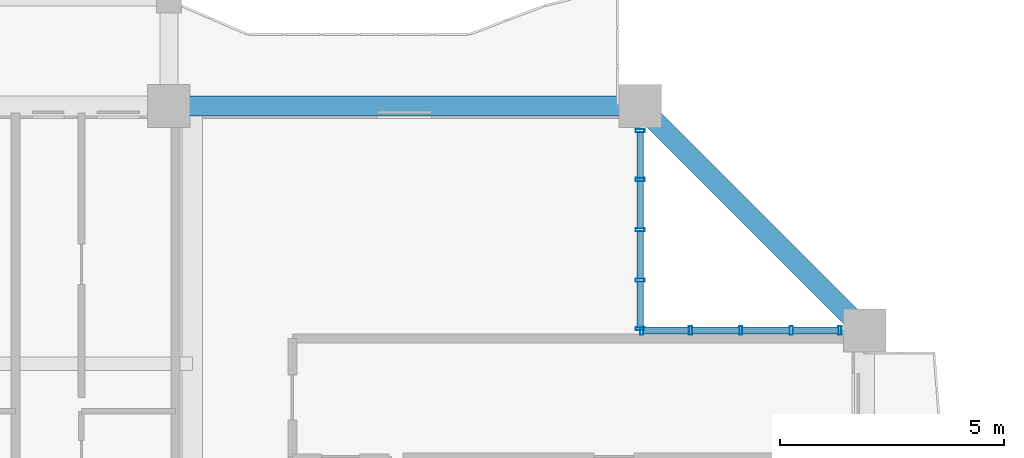
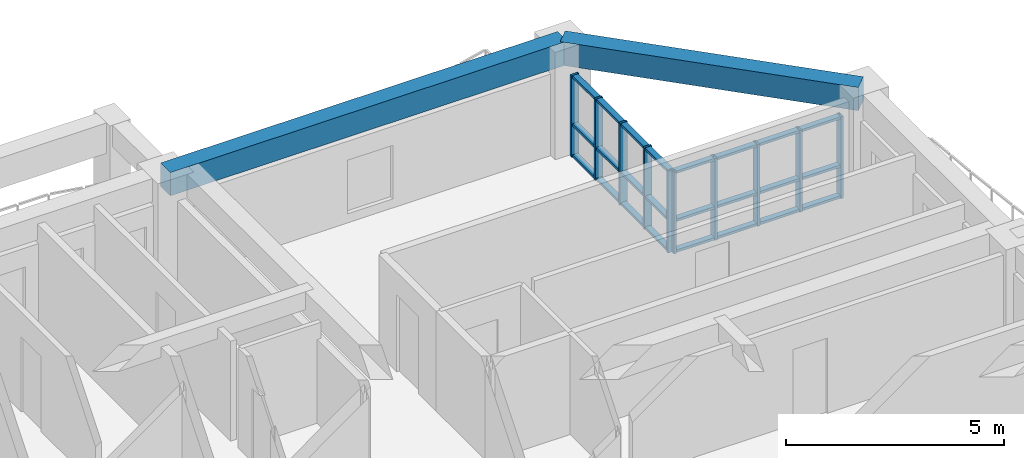
# One storey, part 9 of 24: 34 members, 2 beams, 2 elements without a shape of their own.
"""IFC4 building model written with IfcOpenShell, lengths in metres."""

from ifc_helpers import new_model, si_unit, direction, frame, origin, origin_2d, place, context, subcontext, project, spatial, rectangle, hollow_rectangle, extrude, source, transform, mapped, material, layer, layer_set, material_profile, profile_set, type_object, element, aggregate, save


model = new_model("IFC4")

# Units and contexts
model_context = context("Model", 3, precision=1e-05, world=origin(), true_north=direction((0.0, 1.0)))
body_context = subcontext(model_context, "Body", "Model", "MODEL_VIEW")
ifc_project = project(units=[si_unit("LENGTHUNIT", "METRE"), si_unit("AREAUNIT", "SQUARE_METRE"), si_unit("VOLUMEUNIT", "CUBIC_METRE"), si_unit("PLANEANGLEUNIT", "RADIAN"), si_unit("MASSUNIT", "GRAM", prefix="KILO")], contexts=[model_context])

# Site, building, storey
site_placement = place(None, origin())
site = spatial("IfcSite", under=ifc_project, at=site_placement, CompositionType="ELEMENT")
building_placement = place(site_placement, origin())
building = spatial("IfcBuilding", under=site, at=building_placement, Name="Saelheon Loggia Tower", CompositionType="ELEMENT")
storey_placement = place(building_placement, frame((0.0, 0.0, 166.0)))
storey = spatial("IfcBuildingStorey", under=building, at=storey_placement, Name="L52", CompositionType="ELEMENT", Elevation=166.0)

# Beams
ifc_material_1 = material(Name="Concrete C40/50", Category="concrete")
ifc_material_profile_1 = material_profile(ifc_material_1, rectangle(XDim=0.449951171875, YDim=0.64990234375, at=origin_2d()), Name="RC-450x650")
ifc_profile_set_1 = profile_set([ifc_material_profile_1], Name="Concrete C40/50")
beam_type = type_object("IfcBeamType", Name="Beam_PerimTower_RC450x650", PredefinedType="BEAM", material=ifc_profile_set_1)
shared_shape_1 = source(origin(), body_context, "Body", "SweptSolid", [
    extrude(rectangle(XDim=0.449951171875, YDim=0.64990234375, at=origin_2d()), origin(), (0.0, 0.0, 1.0), 10.5),
])
beam_1_placement = place(storey_placement, frame((55.0, 48.0, 2.675048828125), z_axis=(-1.0, 0.0, 0.0), x_axis=(0.0, -1.0, 0.0)))
element("IfcBeam", 1, at=beam_1_placement, inside=storey, type_object=beam_type, Name="L52 Perimeter Frame Girder 09", PredefinedType="BEAM", context=body_context, shape_type="MappedRepresentation", body=[
    mapped(shared_shape_1, transform((0.0, 0.0, 0.0), scale=1.0)),
])
shared_shape_2 = source(origin(), body_context, "Body", "SweptSolid", [
    extrude(rectangle(XDim=0.449951171875, YDim=0.64990234375, at=origin_2d()), origin(), (0.0, 0.0, 1.0), 7.071044921875),
])
beam_2_placement = place(storey_placement, frame((60.0, 43.0, 2.675048828125), z_axis=(-0.707106781187, 0.707106781187, 0.0), x_axis=(-0.707106781187, -0.707106781187, 0.0)))
element("IfcBeam", 2, at=beam_2_placement, inside=storey, type_object=beam_type, Name="L52 Perimeter Frame Girder 08", PredefinedType="BEAM", context=body_context, shape_type="MappedRepresentation", body=[
    mapped(shared_shape_2, transform((0.0, 0.0, 0.0), scale=1.0)),
])

# Curtain wall, members
ifc_material_2 = material(Name="High-Wind Aluminium and Triple Laminated Glass", Category="aluminium")
ifc_layer = layer(ifc_material_2, 0.179931640625)
ifc_layer_set = layer_set([ifc_layer], Name="High-Wind Aluminium and Triple Laminated Glass")
curtain_wall_type = type_object("IfcCurtainWallType", Name="CW_TowerLoggiaHigh", PredefinedType="NOTDEFINED", material=ifc_layer_set)
curtain_wall_1_placement = place(storey_placement, origin())
curtain_wall_1 = element("IfcCurtainWall", 3, at=curtain_wall_1_placement, inside=storey, type_object=curtain_wall_type, Name="L52 Corner Notch Glazing NE1", PredefinedType="NOTDEFINED")
ifc_material_3 = material(Name="Anodised Aluminium 6063-T6", Category="aluminium")
ifc_material_profile_2 = material_profile(ifc_material_3, hollow_rectangle(XDim=0.070068359375, YDim=0.199951171875, WallThickness=0.0048828125, at=origin_2d()), Name="RHS-200x70x5")
ifc_profile_set_2 = profile_set([ifc_material_profile_2], Name="Anodised Aluminium 6063-T6")
member_type_1 = type_object("IfcMemberType", Name="CW_TowerLoggiaHigh_Mullion", PredefinedType="MULLION", material=ifc_profile_set_2)
shared_shape_3 = source(origin(), body_context, "Body", "SweptSolid", [
    extrude(hollow_rectangle(XDim=0.070068359375, YDim=0.199951171875, WallThickness=0.0048828125, at=origin_2d()), origin(), (0.0, 0.0, 1.0), 2.280029296875),
])
member_1_placement = place(storey_placement, frame((55.0, 43.034912109375, 0.0), z_axis=(0.0, 0.0, 1.0), x_axis=(0.0, 1.0, 0.0)))
member_1 = element("IfcMember", 4, at=member_1_placement, type_object=member_type_1, Name="CW4 mullion 1", PredefinedType="MULLION", context=body_context, shape_type="MappedRepresentation", body=[
    mapped(shared_shape_3, transform((0.0, 0.0, 0.0), scale=1.0)),
])
member_2_placement = place(storey_placement, frame((55.0, 44.121337890625, 0.0), z_axis=(0.0, 0.0, 1.0), x_axis=(0.0, 1.0, 0.0)))
member_2 = element("IfcMember", 5, at=member_2_placement, type_object=member_type_1, Name="CW4 mullion 2", PredefinedType="MULLION", context=body_context, shape_type="MappedRepresentation", body=[
    mapped(shared_shape_3, transform((0.0, 0.0, 0.0), scale=1.0)),
])
member_3_placement = place(storey_placement, frame((55.0, 45.242431640625, 0.0), z_axis=(0.0, 0.0, 1.0), x_axis=(0.0, 1.0, 0.0)))
member_3 = element("IfcMember", 6, at=member_3_placement, type_object=member_type_1, Name="CW4 mullion 3", PredefinedType="MULLION", context=body_context, shape_type="MappedRepresentation", body=[
    mapped(shared_shape_3, transform((0.0, 0.0, 0.0), scale=1.0)),
])
member_4_placement = place(storey_placement, frame((55.0, 46.36376953125, 0.0), z_axis=(0.0, 0.0, 1.0), x_axis=(0.0, 1.0, 0.0)))
member_4 = element("IfcMember", 7, at=member_4_placement, type_object=member_type_1, Name="CW4 mullion 4", PredefinedType="MULLION", context=body_context, shape_type="MappedRepresentation", body=[
    mapped(shared_shape_3, transform((0.0, 0.0, 0.0), scale=1.0)),
])
member_5_placement = place(storey_placement, frame((55.0, 47.449951171875, 0.0), z_axis=(0.0, 0.0, 1.0), x_axis=(0.0, 1.0, 0.0)))
member_5 = element("IfcMember", 8, at=member_5_placement, type_object=member_type_1, Name="CW4 mullion 5", PredefinedType="MULLION", context=body_context, shape_type="MappedRepresentation", body=[
    mapped(shared_shape_3, transform((0.0, 0.0, 0.0), scale=1.0)),
])

curtain_wall_2_placement = place(storey_placement, origin())
curtain_wall_2 = element("IfcCurtainWall", 9, at=curtain_wall_2_placement, inside=storey, type_object=curtain_wall_type, Name="L52 Corner Notch Glazing NE2", PredefinedType="NOTDEFINED")
member_6_placement = place(storey_placement, frame((55.034912109375, 43.0, 0.0), z_axis=(0.0, 0.0, 1.0), x_axis=(1.0, 0.0, 0.0)))
member_6 = element("IfcMember", 10, at=member_6_placement, type_object=member_type_1, Name="CW4 mullion 1", PredefinedType="MULLION", context=body_context, shape_type="MappedRepresentation", body=[
    mapped(shared_shape_3, transform((0.0, 0.0, 0.0), scale=1.0)),
])
member_7_placement = place(storey_placement, frame((56.121337890625, 43.0, 0.0), z_axis=(0.0, 0.0, 1.0), x_axis=(1.0, 0.0, 0.0)))
member_7 = element("IfcMember", 11, at=member_7_placement, type_object=member_type_1, Name="CW4 mullion 2", PredefinedType="MULLION", context=body_context, shape_type="MappedRepresentation", body=[
    mapped(shared_shape_3, transform((0.0, 0.0, 0.0), scale=1.0)),
])
member_8_placement = place(storey_placement, frame((57.242431640625, 43.0, 0.0), z_axis=(0.0, 0.0, 1.0), x_axis=(1.0, 0.0, 0.0)))
member_8 = element("IfcMember", 12, at=member_8_placement, type_object=member_type_1, Name="CW4 mullion 3", PredefinedType="MULLION", context=body_context, shape_type="MappedRepresentation", body=[
    mapped(shared_shape_3, transform((0.0, 0.0, 0.0), scale=1.0)),
])
member_9_placement = place(storey_placement, frame((58.36376953125, 43.0, 0.0), z_axis=(0.0, 0.0, 1.0), x_axis=(1.0, 0.0, 0.0)))
member_9 = element("IfcMember", 13, at=member_9_placement, type_object=member_type_1, Name="CW4 mullion 4", PredefinedType="MULLION", context=body_context, shape_type="MappedRepresentation", body=[
    mapped(shared_shape_3, transform((0.0, 0.0, 0.0), scale=1.0)),
])
member_10_placement = place(storey_placement, frame((59.449951171875, 43.0, 0.0), z_axis=(0.0, 0.0, 1.0), x_axis=(1.0, 0.0, 0.0)))
member_10 = element("IfcMember", 14, at=member_10_placement, type_object=member_type_1, Name="CW4 mullion 5", PredefinedType="MULLION", context=body_context, shape_type="MappedRepresentation", body=[
    mapped(shared_shape_3, transform((0.0, 0.0, 0.0), scale=1.0)),
])

# Member
ifc_material_profile_3 = material_profile(ifc_material_3, hollow_rectangle(XDim=0.070068359375, YDim=0.14990234375, WallThickness=0.0048828125, at=origin_2d()), Name="RHS-150x70x5")
ifc_profile_set_3 = profile_set([ifc_material_profile_3], Name="Anodised Aluminium 6063-T6")
member_type_2 = type_object("IfcMemberType", Name="CW_TowerLoggiaHigh_Transom", PredefinedType="USERDEFINED", material=ifc_profile_set_3)
shared_shape_4 = source(origin(), body_context, "Body", "SweptSolid", [
    extrude(hollow_rectangle(XDim=0.070068359375, YDim=0.14990234375, WallThickness=0.0048828125, at=origin_2d()), origin(), (0.0, 0.0, 1.0), 1.016357421875),
])
member_11_placement = place(storey_placement, frame((55.0, 46.398681640625, 0.034912109375), z_axis=(0.0, 1.0, 0.0), x_axis=(0.0, 0.0, 1.0)))
member_11 = element("IfcMember", 15, at=member_11_placement, type_object=member_type_2, Name="CW4 transom 4.1", ObjectType="TRANSOM", PredefinedType="USERDEFINED", context=body_context, shape_type="MappedRepresentation", body=[
    mapped(shared_shape_4, transform((0.0, 0.0, 0.0), scale=1.0)),
])

member_12_placement = place(storey_placement, frame((55.0, 46.398681640625, 0.89990234375), z_axis=(0.0, 1.0, 0.0), x_axis=(0.0, 0.0, 1.0)))
member_12 = element("IfcMember", 16, at=member_12_placement, type_object=member_type_2, Name="CW4 transom 4.2", ObjectType="TRANSOM", PredefinedType="USERDEFINED", context=body_context, shape_type="MappedRepresentation", body=[
    mapped(shared_shape_4, transform((0.0, 0.0, 0.0), scale=1.0)),
])

member_13_placement = place(storey_placement, frame((55.0, 46.398681640625, 2.2451171875), z_axis=(0.0, 1.0, 0.0), x_axis=(0.0, 0.0, 1.0)))
member_13 = element("IfcMember", 17, at=member_13_placement, type_object=member_type_2, Name="CW4 transom 4.3", ObjectType="TRANSOM", PredefinedType="USERDEFINED", context=body_context, shape_type="MappedRepresentation", body=[
    mapped(shared_shape_4, transform((0.0, 0.0, 0.0), scale=1.0)),
])

member_14_placement = place(storey_placement, frame((58.398681640625, 43.0, 0.034912109375), z_axis=(1.0, 0.0, 0.0), x_axis=(0.0, 0.0, 1.0)))
member_14 = element("IfcMember", 18, at=member_14_placement, type_object=member_type_2, Name="CW4 transom 4.1", ObjectType="TRANSOM", PredefinedType="USERDEFINED", context=body_context, shape_type="MappedRepresentation", body=[
    mapped(shared_shape_4, transform((0.0, 0.0, 0.0), scale=1.0)),
])

member_15_placement = place(storey_placement, frame((58.398681640625, 43.0, 0.89990234375), z_axis=(1.0, 0.0, 0.0), x_axis=(0.0, 0.0, 1.0)))
member_15 = element("IfcMember", 19, at=member_15_placement, type_object=member_type_2, Name="CW4 transom 4.2", ObjectType="TRANSOM", PredefinedType="USERDEFINED", context=body_context, shape_type="MappedRepresentation", body=[
    mapped(shared_shape_4, transform((0.0, 0.0, 0.0), scale=1.0)),
])

member_16_placement = place(storey_placement, frame((58.398681640625, 43.0, 2.2451171875), z_axis=(1.0, 0.0, 0.0), x_axis=(0.0, 0.0, 1.0)))
member_16 = element("IfcMember", 20, at=member_16_placement, type_object=member_type_2, Name="CW4 transom 4.3", ObjectType="TRANSOM", PredefinedType="USERDEFINED", context=body_context, shape_type="MappedRepresentation", body=[
    mapped(shared_shape_4, transform((0.0, 0.0, 0.0), scale=1.0)),
])

shared_shape_5 = source(origin(), body_context, "Body", "SweptSolid", [
    extrude(hollow_rectangle(XDim=0.070068359375, YDim=0.14990234375, WallThickness=0.0048828125, at=origin_2d()), origin(), (0.0, 0.0, 1.0), 1.05126953125),
])
member_17_placement = place(storey_placement, frame((55.0, 44.15625, 0.034912109375), z_axis=(0.0, 1.0, 0.0), x_axis=(0.0, 0.0, 1.0)))
member_17 = element("IfcMember", 21, at=member_17_placement, type_object=member_type_2, Name="CW4 transom 2.1", ObjectType="TRANSOM", PredefinedType="USERDEFINED", context=body_context, shape_type="MappedRepresentation", body=[
    mapped(shared_shape_5, transform((0.0, 0.0, 0.0), scale=1.0)),
])

member_18_placement = place(storey_placement, frame((55.0, 44.15625, 0.89990234375), z_axis=(0.0, 1.0, 0.0), x_axis=(0.0, 0.0, 1.0)))
member_18 = element("IfcMember", 22, at=member_18_placement, type_object=member_type_2, Name="CW4 transom 2.2", ObjectType="TRANSOM", PredefinedType="USERDEFINED", context=body_context, shape_type="MappedRepresentation", body=[
    mapped(shared_shape_5, transform((0.0, 0.0, 0.0), scale=1.0)),
])

member_19_placement = place(storey_placement, frame((55.0, 44.15625, 2.2451171875), z_axis=(0.0, 1.0, 0.0), x_axis=(0.0, 0.0, 1.0)))
member_19 = element("IfcMember", 23, at=member_19_placement, type_object=member_type_2, Name="CW4 transom 2.3", ObjectType="TRANSOM", PredefinedType="USERDEFINED", context=body_context, shape_type="MappedRepresentation", body=[
    mapped(shared_shape_5, transform((0.0, 0.0, 0.0), scale=1.0)),
])

member_20_placement = place(storey_placement, frame((55.0, 45.277587890625, 0.034912109375), z_axis=(0.0, 1.0, 0.0), x_axis=(0.0, 0.0, 1.0)))
member_20 = element("IfcMember", 24, at=member_20_placement, type_object=member_type_2, Name="CW4 transom 3.1", ObjectType="TRANSOM", PredefinedType="USERDEFINED", context=body_context, shape_type="MappedRepresentation", body=[
    mapped(shared_shape_5, transform((0.0, 0.0, 0.0), scale=1.0)),
])

member_21_placement = place(storey_placement, frame((55.0, 45.277587890625, 0.89990234375), z_axis=(0.0, 1.0, 0.0), x_axis=(0.0, 0.0, 1.0)))
member_21 = element("IfcMember", 25, at=member_21_placement, type_object=member_type_2, Name="CW4 transom 3.2", ObjectType="TRANSOM", PredefinedType="USERDEFINED", context=body_context, shape_type="MappedRepresentation", body=[
    mapped(shared_shape_5, transform((0.0, 0.0, 0.0), scale=1.0)),
])

member_22_placement = place(storey_placement, frame((55.0, 45.277587890625, 2.2451171875), z_axis=(0.0, 1.0, 0.0), x_axis=(0.0, 0.0, 1.0)))
member_22 = element("IfcMember", 26, at=member_22_placement, type_object=member_type_2, Name="CW4 transom 3.3", ObjectType="TRANSOM", PredefinedType="USERDEFINED", context=body_context, shape_type="MappedRepresentation", body=[
    mapped(shared_shape_5, transform((0.0, 0.0, 0.0), scale=1.0)),
])

member_23_placement = place(storey_placement, frame((56.15625, 43.0, 0.034912109375), z_axis=(1.0, 0.0, 0.0), x_axis=(0.0, 0.0, 1.0)))
member_23 = element("IfcMember", 27, at=member_23_placement, type_object=member_type_2, Name="CW4 transom 2.1", ObjectType="TRANSOM", PredefinedType="USERDEFINED", context=body_context, shape_type="MappedRepresentation", body=[
    mapped(shared_shape_5, transform((0.0, 0.0, 0.0), scale=1.0)),
])

member_24_placement = place(storey_placement, frame((56.15625, 43.0, 0.89990234375), z_axis=(1.0, 0.0, 0.0), x_axis=(0.0, 0.0, 1.0)))
member_24 = element("IfcMember", 28, at=member_24_placement, type_object=member_type_2, Name="CW4 transom 2.2", ObjectType="TRANSOM", PredefinedType="USERDEFINED", context=body_context, shape_type="MappedRepresentation", body=[
    mapped(shared_shape_5, transform((0.0, 0.0, 0.0), scale=1.0)),
])

member_25_placement = place(storey_placement, frame((56.15625, 43.0, 2.2451171875), z_axis=(1.0, 0.0, 0.0), x_axis=(0.0, 0.0, 1.0)))
member_25 = element("IfcMember", 29, at=member_25_placement, type_object=member_type_2, Name="CW4 transom 2.3", ObjectType="TRANSOM", PredefinedType="USERDEFINED", context=body_context, shape_type="MappedRepresentation", body=[
    mapped(shared_shape_5, transform((0.0, 0.0, 0.0), scale=1.0)),
])

member_26_placement = place(storey_placement, frame((57.277587890625, 43.0, 0.034912109375), z_axis=(1.0, 0.0, 0.0), x_axis=(0.0, 0.0, 1.0)))
member_26 = element("IfcMember", 30, at=member_26_placement, type_object=member_type_2, Name="CW4 transom 3.1", ObjectType="TRANSOM", PredefinedType="USERDEFINED", context=body_context, shape_type="MappedRepresentation", body=[
    mapped(shared_shape_5, transform((0.0, 0.0, 0.0), scale=1.0)),
])

member_27_placement = place(storey_placement, frame((57.277587890625, 43.0, 0.89990234375), z_axis=(1.0, 0.0, 0.0), x_axis=(0.0, 0.0, 1.0)))
member_27 = element("IfcMember", 31, at=member_27_placement, type_object=member_type_2, Name="CW4 transom 3.2", ObjectType="TRANSOM", PredefinedType="USERDEFINED", context=body_context, shape_type="MappedRepresentation", body=[
    mapped(shared_shape_5, transform((0.0, 0.0, 0.0), scale=1.0)),
])

member_28_placement = place(storey_placement, frame((57.277587890625, 43.0, 2.2451171875), z_axis=(1.0, 0.0, 0.0), x_axis=(0.0, 0.0, 1.0)))
member_28 = element("IfcMember", 32, at=member_28_placement, type_object=member_type_2, Name="CW4 transom 3.3", ObjectType="TRANSOM", PredefinedType="USERDEFINED", context=body_context, shape_type="MappedRepresentation", body=[
    mapped(shared_shape_5, transform((0.0, 0.0, 0.0), scale=1.0)),
])

shared_shape_6 = source(origin(), body_context, "Body", "SweptSolid", [
    extrude(hollow_rectangle(XDim=0.070068359375, YDim=0.14990234375, WallThickness=0.0048828125, at=origin_2d()), origin(), (0.0, 0.0, 1.0), 1.01611328125),
])
member_29_placement = place(storey_placement, frame((55.0, 43.070068359375, 0.034912109375), z_axis=(0.0, 1.0, 0.0), x_axis=(0.0, 0.0, 1.0)))
member_29 = element("IfcMember", 33, at=member_29_placement, type_object=member_type_2, Name="CW4 transom 1.1", ObjectType="TRANSOM", PredefinedType="USERDEFINED", context=body_context, shape_type="MappedRepresentation", body=[
    mapped(shared_shape_6, transform((0.0, 0.0, 0.0), scale=1.0)),
])

member_30_placement = place(storey_placement, frame((55.0, 43.070068359375, 0.89990234375), z_axis=(0.0, 1.0, 0.0), x_axis=(0.0, 0.0, 1.0)))
member_30 = element("IfcMember", 34, at=member_30_placement, type_object=member_type_2, Name="CW4 transom 1.2", ObjectType="TRANSOM", PredefinedType="USERDEFINED", context=body_context, shape_type="MappedRepresentation", body=[
    mapped(shared_shape_6, transform((0.0, 0.0, 0.0), scale=1.0)),
])

member_31_placement = place(storey_placement, frame((55.0, 43.070068359375, 2.2451171875), z_axis=(0.0, 1.0, 0.0), x_axis=(0.0, 0.0, 1.0)))
member_31 = element("IfcMember", 35, at=member_31_placement, type_object=member_type_2, Name="CW4 transom 1.3", ObjectType="TRANSOM", PredefinedType="USERDEFINED", context=body_context, shape_type="MappedRepresentation", body=[
    mapped(shared_shape_6, transform((0.0, 0.0, 0.0), scale=1.0)),
])

aggregate(curtain_wall_1, [member_1, member_2, member_3, member_4, member_5, member_29, member_30, member_31, member_17, member_18, member_19, member_20, member_21, member_22, member_11, member_12, member_13])

member_32_placement = place(storey_placement, frame((55.070068359375, 43.0, 0.034912109375), z_axis=(1.0, 0.0, 0.0), x_axis=(0.0, 0.0, 1.0)))
member_32 = element("IfcMember", 36, at=member_32_placement, type_object=member_type_2, Name="CW4 transom 1.1", ObjectType="TRANSOM", PredefinedType="USERDEFINED", context=body_context, shape_type="MappedRepresentation", body=[
    mapped(shared_shape_6, transform((0.0, 0.0, 0.0), scale=1.0)),
])

member_33_placement = place(storey_placement, frame((55.070068359375, 43.0, 0.89990234375), z_axis=(1.0, 0.0, 0.0), x_axis=(0.0, 0.0, 1.0)))
member_33 = element("IfcMember", 37, at=member_33_placement, type_object=member_type_2, Name="CW4 transom 1.2", ObjectType="TRANSOM", PredefinedType="USERDEFINED", context=body_context, shape_type="MappedRepresentation", body=[
    mapped(shared_shape_6, transform((0.0, 0.0, 0.0), scale=1.0)),
])

member_34_placement = place(storey_placement, frame((55.070068359375, 43.0, 2.2451171875), z_axis=(1.0, 0.0, 0.0), x_axis=(0.0, 0.0, 1.0)))
member_34 = element("IfcMember", 38, at=member_34_placement, type_object=member_type_2, Name="CW4 transom 1.3", ObjectType="TRANSOM", PredefinedType="USERDEFINED", context=body_context, shape_type="MappedRepresentation", body=[
    mapped(shared_shape_6, transform((0.0, 0.0, 0.0), scale=1.0)),
])

aggregate(curtain_wall_2, [member_6, member_7, member_8, member_9, member_10, member_32, member_33, member_34, member_23, member_24, member_25, member_26, member_27, member_28, member_14, member_15, member_16])

save(model, "model.ifc")
